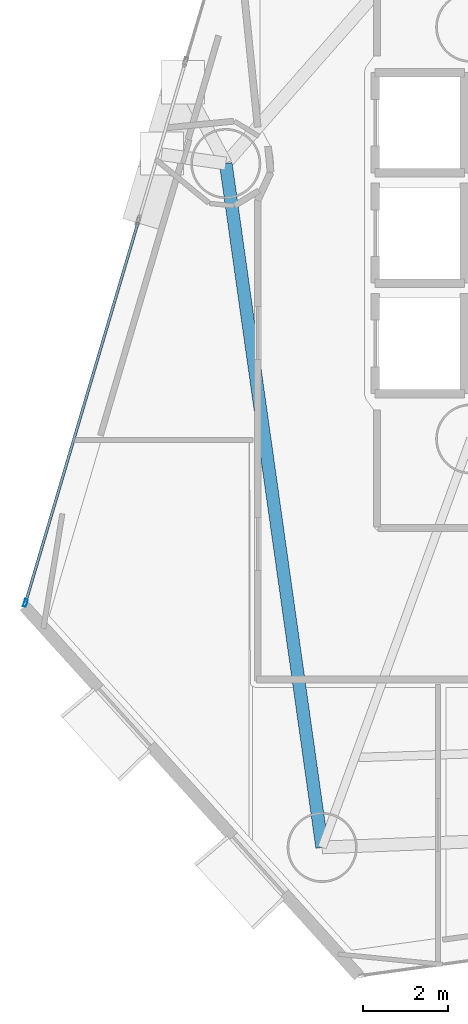
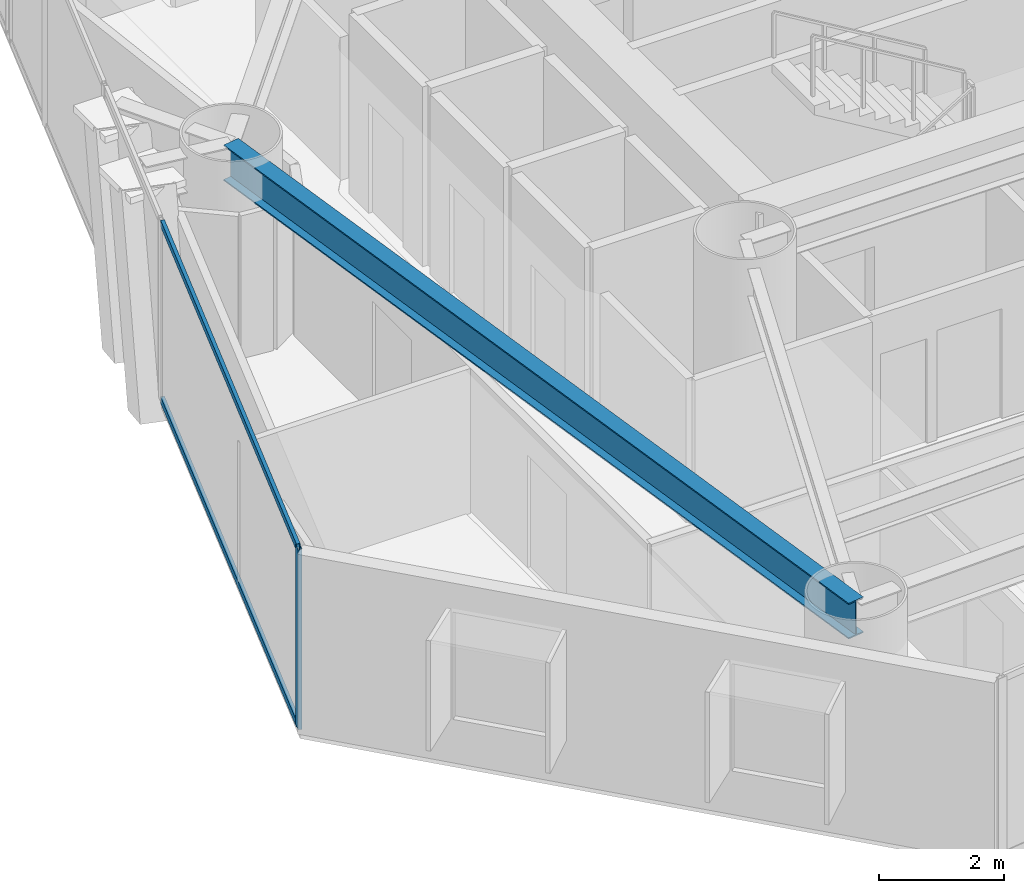
# One storey, part 4 of 23: 3 members, 1 beam, 1 element without a shape of its own.
"""IFC4 building model written with IfcOpenShell, lengths in metres."""

import ifcopenshell
import ifcopenshell.guid

model = None  # the IFC model being written
_history = None  # IfcOwnerHistory: only IFC2X3 demands one
_inside = {}  # id of a spatial element -> (the spatial element, [elements in it])
_under = {}  # id of a project, library or spatial element -> (it, [spatial elements below it])
_declared = {}  # id of a project -> (the project, [libraries it declares])
_typed = {}  # id of a type object -> (the type object, [elements of that type])
_made_of = {}  # id of a material, layer set ... -> (it, [elements and type objects made of it])


def new_model(schema):
    """Start an empty IFC model of exactly this schema.

    Asked for "IFC4X3", IfcOpenShell would pick the latest addendum, in which some entities
    have other attributes; the version numbers below select the first issue.
    IFC2X3 requires an IfcOwnerHistory on every rooted entity: one is made here for all.
    """
    global model, _history
    if schema == "IFC4X3":
        model = ifcopenshell.file(schema_version=(4, 3, 0, 0))
    else:
        model = ifcopenshell.file(schema=schema)
    _inside.clear()
    _under.clear()
    _declared.clear()
    _typed.clear()
    _made_of.clear()
    _history = None
    if model.schema == "IFC2X3":
        org = make("IfcOrganization", Name="unknown")
        user = make(
            "IfcPersonAndOrganization",
            ThePerson=make("IfcPerson", FamilyName="unknown"),
            TheOrganization=org,
        )
        app = make(
            "IfcApplication",
            ApplicationDeveloper=org,
            Version="unknown",
            ApplicationFullName="unknown",
            ApplicationIdentifier="unknown",
        )
        _history = make(
            "IfcOwnerHistory",
            OwningUser=user,
            OwningApplication=app,
            ChangeAction="ADDED",
            CreationDate=0,
        )
    return model


def make(cls, **values):
    """One entity of the class cls with the attributes given. An attribute that is None is left unset."""
    return model.create_entity(
        cls, **{name: value for name, value in values.items() if value is not None}
    )


def rooted(cls, **values):
    """An entity with a GlobalId (a new one), such as an element, a storey or a relation."""
    return make(cls, GlobalId=ifcopenshell.guid.new(), OwnerHistory=_history, **values)


def si_unit(unit_type, name, prefix=None):
    """IfcSIUnit, for example si_unit("LENGTHUNIT", "METRE", prefix="MILLI")."""
    return make("IfcSIUnit", UnitType=unit_type, Prefix=prefix, Name=name)


def assignment(units):
    """IfcUnitAssignment: the units of a project."""
    return None if units is None else make("IfcUnitAssignment", Units=units)


def point(xyz):
    """IfcCartesianPoint."""
    return None if xyz is None else make("IfcCartesianPoint", Coordinates=xyz)


def direction(xyz):
    """IfcDirection."""
    return None if xyz is None else make("IfcDirection", DirectionRatios=xyz)


def frame(location, z_axis=None, x_axis=None):
    """IfcAxis2Placement3D, a coordinate frame: its origin and axes. An axis left out is left unset."""
    return make(
        "IfcAxis2Placement3D",
        Location=point(location),
        Axis=direction(z_axis),
        RefDirection=direction(x_axis),
    )


def frame_2d(location, x_axis=None):
    """IfcAxis2Placement2D, a coordinate frame in the plane: its origin and x axis."""
    return make(
        "IfcAxis2Placement2D", Location=point(location), RefDirection=direction(x_axis)
    )


def origin():
    """The frame at (0, 0, 0) with its axes left unset."""
    return frame((0.0, 0.0, 0.0))


def origin_2d():
    """The frame at (0, 0) in the plane with its x axis left unset."""
    return frame_2d((0.0, 0.0))


def place(relative_to, where):
    """IfcLocalPlacement: puts the frame where relative to a parent placement (None: the world)."""
    return make(
        "IfcLocalPlacement", PlacementRelTo=relative_to, RelativePlacement=where
    )


def context(
    kind, dimensions, precision=None, world=None, true_north=None, identifier=None
):
    """IfcGeometricRepresentationContext, for example the 3D "Model" context."""
    return make(
        "IfcGeometricRepresentationContext",
        ContextIdentifier=identifier,
        ContextType=kind,
        CoordinateSpaceDimension=dimensions,
        Precision=precision,
        WorldCoordinateSystem=world,
        TrueNorth=true_north,
    )


def subcontext(parent, identifier, kind, view, scale=None):
    """IfcGeometricRepresentationSubContext, for example "Body" below "Model"."""
    return make(
        "IfcGeometricRepresentationSubContext",
        ContextIdentifier=identifier,
        ContextType=kind,
        ParentContext=parent,
        TargetScale=scale,
        TargetView=view,
    )


def project(units=None, contexts=None):
    """IfcProject with its units and contexts."""
    return rooted(
        "IfcProject",
        Name="project",
        RepresentationContexts=contexts,
        UnitsInContext=assignment(units),
    )


def spatial(cls, under=None, at=None, **own):
    """A site, building, storey or space (cls), placed at a placement, below another one or the project."""
    s = rooted(cls, ObjectPlacement=at, **own)
    if under is not None:
        _under.setdefault(under.id(), (under, []))[1].append(s)
    return s


def profile(cls, at=None, kind="AREA", **sizes):
    """A parametric profile (cls). Its sizes go by their IFC names, for example OverallWidth=200.0."""
    return make(cls, ProfileType=kind, Position=at, **sizes)


def hollow_rectangle(**sizes):
    """IfcRectangleHollowProfileDef."""
    return profile("IfcRectangleHollowProfileDef", **sizes)


def i_section(**sizes):
    """IfcIShapeProfileDef."""
    return profile("IfcIShapeProfileDef", **sizes)


def extrude(swept, where, along, depth):
    """IfcExtrudedAreaSolid: the profile swept, set in the frame where, extruded along a direction by depth."""
    return make(
        "IfcExtrudedAreaSolid",
        SweptArea=swept,
        Position=where,
        ExtrudedDirection=direction(along),
        Depth=depth,
    )


def shape(context_of_items, identifier, shape_type, items):
    """IfcShapeRepresentation: the items that make up one representation, for example the "Body"."""
    return make(
        "IfcShapeRepresentation",
        ContextOfItems=context_of_items,
        RepresentationIdentifier=identifier,
        RepresentationType=shape_type,
        Items=items,
    )


def material(Name=None, Category=None):
    """IfcMaterial."""
    return make("IfcMaterial", Name=Name, Category=Category)


def layer(
    of_material, thickness, ventilated=None, Name=None, Category=None, Priority=None
):
    """IfcMaterialLayer: one layer of a wall or slab, of a material (None: an air gap)."""
    return make(
        "IfcMaterialLayer",
        Material=of_material,
        LayerThickness=thickness,
        IsVentilated=ventilated,
        Name=Name,
        Category=Category,
        Priority=Priority,
    )


def layer_set(layers, Name=None):
    """IfcMaterialLayerSet."""
    return make("IfcMaterialLayerSet", MaterialLayers=layers, LayerSetName=Name)


def material_profile(
    of_material, cross_section, Name=None, Category=None, Priority=None
):
    """IfcMaterialProfile: a cross section and its material."""
    return make(
        "IfcMaterialProfile",
        Name=Name,
        Material=of_material,
        Profile=cross_section,
        Priority=Priority,
        Category=Category,
    )


def profile_set(profiles, Name=None, composite=None):
    """IfcMaterialProfileSet."""
    return make(
        "IfcMaterialProfileSet",
        Name=Name,
        MaterialProfiles=profiles,
        CompositeProfile=composite,
    )


def made_of(thing, what):
    """Note that an element or type object is made of a material, layer set ...; save() writes the relation."""
    if what is not None:
        _made_of.setdefault(what.id(), (what, []))[1].append(thing)
    return thing


def type_object(cls, material=None, **own):
    """A type object (cls), such as IfcWallType, which elements share."""
    return made_of(rooted(cls, **own), material)


def element(
    cls,
    number,
    at=None,
    inside=None,
    cuts=None,
    type_object=None,
    material=None,
    context=None,
    identifier="Body",
    shape_type=None,
    held_by="IfcProductDefinitionShape",
    body=None,
    shapes=None,
    **own,
):
    """One element of the class cls, such as IfcWall. Its Tag is "e" and its number.

    at: its placement. inside: the storey or other place that contains it. cuts: it is an
    opening in that element (IfcRelVoidsElement). A single representation is given by context,
    identifier, shape_type and body (its items); several are given by shapes. held_by: the class
    of the entity that holds the representations. save() writes the other relations.
    """
    e = rooted(cls, Tag="e%d" % number, ObjectPlacement=at, **own)
    if body is not None:
        shapes = [shape(context, identifier, shape_type, body)]
    if shapes is not None:
        e.Representation = make(held_by, Representations=shapes)
    if inside is not None:
        _inside.setdefault(inside.id(), (inside, []))[1].append(e)
    if cuts is not None:
        rooted(
            "IfcRelVoidsElement", RelatingBuildingElement=cuts, RelatedOpeningElement=e
        )
    if type_object is not None:
        _typed.setdefault(type_object.id(), (type_object, []))[1].append(e)
    return made_of(e, material)


def aggregate(whole, parts):
    """IfcRelAggregates: a whole, such as a stair, and the parts it consists of."""
    return rooted("IfcRelAggregates", RelatingObject=whole, RelatedObjects=parts)


def save(model, path):
    """Write the relations noted so far, then the file.

    IfcRelAggregates (storeys below a building ...), IfcRelContainedInSpatialStructure (elements
    in a storey), IfcRelDefinesByType, IfcRelAssociatesMaterial and IfcRelDeclares: one each for
    every whole, place, type object, material and project.
    """
    for whole, parts in _under.values():
        aggregate(whole, parts)
    for where, things in _inside.values():
        rooted(
            "IfcRelContainedInSpatialStructure",
            RelatedElements=things,
            RelatingStructure=where,
        )
    for kind, things in _typed.values():
        rooted("IfcRelDefinesByType", RelatedObjects=things, RelatingType=kind)
    for what, things in _made_of.values():
        rooted("IfcRelAssociatesMaterial", RelatedObjects=things, RelatingMaterial=what)
    for by, libraries in _declared.values():
        rooted("IfcRelDeclares", RelatingContext=by, RelatedDefinitions=libraries)
    model.write(path)


model = new_model("IFC4")

# Units and contexts
model_context = context("Model", 3, precision=1e-05, world=origin(), true_north=direction((0.0, 1.0)))
body_context = subcontext(model_context, "Body", "Model", "MODEL_VIEW")
ifc_project = project(units=[si_unit("LENGTHUNIT", "METRE"), si_unit("AREAUNIT", "SQUARE_METRE"), si_unit("VOLUMEUNIT", "CUBIC_METRE"), si_unit("PLANEANGLEUNIT", "RADIAN"), si_unit("MASSUNIT", "GRAM", prefix="KILO")], contexts=[model_context])

# Site, building, storey
site_placement = place(None, origin())
site = spatial("IfcSite", under=ifc_project, at=site_placement, CompositionType="ELEMENT")
building_placement = place(site_placement, origin())
building = spatial("IfcBuilding", under=site, at=building_placement, Name="Qianvela Tower", CompositionType="ELEMENT")
storey_placement = place(building_placement, frame((0.0, 0.0, 74.699951171875)))
storey = spatial("IfcBuildingStorey", under=building, at=storey_placement, Name="L18", CompositionType="ELEMENT", Elevation=74.699951171875)

# Beam
ifc_material_1 = material(Name="Steel Q355B", Category="steel")
ifc_material_profile_1 = material_profile(ifc_material_1, i_section(OverallWidth=0.300048828125, OverallDepth=0.699951171875, WebThickness=0.012939453125, FlangeThickness=0.02392578125, at=origin_2d()), Name="HN700x300x13x24")
ifc_profile_set_1 = profile_set([ifc_material_profile_1], Name="Steel Q355B")
beam_type = type_object("IfcBeamType", Name="BM-HN700-SPAND", PredefinedType="SPANDREL", material=ifc_profile_set_1)
beam_placement = place(storey_placement, frame((22.8291015625, 30.340087890625, 3.16796875), z_axis=(0.139545592864, -0.990215646974, 0.0), x_axis=(0.990215646974, 0.139545592864, 0.0)))
element("IfcBeam", 1, at=beam_placement, inside=storey, type_object=beam_type, Name="L18 Perimeter Ring Spandrel Girder 4", PredefinedType="SPANDREL", context=body_context, shape_type="SweptSolid", body=[
    extrude(i_section(OverallWidth=0.300048828125, OverallDepth=0.699951171875, WebThickness=0.012939453125, FlangeThickness=0.02392578125, at=origin_2d()), origin(), (0.0, 0.0, 1.0), 16.274169921875),
])

# Curtain wall, members
ifc_material_2 = material(Name="Anodised Architectural Aluminium and Low-E Glass", Category="aluminium")
ifc_layer = layer(ifc_material_2, 0.179931640625)
ifc_layer_set = layer_set([ifc_layer], Name="Anodised Architectural Aluminium and Low-E Glass")
curtain_wall_type = type_object("IfcCurtainWallType", Name="CW-COLIV-Z12", PredefinedType="USERDEFINED", material=ifc_layer_set)
curtain_wall_placement = place(storey_placement, origin())
curtain_wall = element("IfcCurtainWall", 2, at=curtain_wall_placement, inside=storey, type_object=curtain_wall_type, Name="L18 CW-COLIV-Z12 Curtain Wall 04C", ObjectType="CURTAIN_WALL_SYSTEM", PredefinedType="USERDEFINED")
ifc_material_3 = material(Name="Anodised Architectural Aluminium 6063-T6", Category="aluminium")
ifc_material_profile_2 = material_profile(ifc_material_3, hollow_rectangle(XDim=0.070068359375, YDim=0.179931640625, WallThickness=0.0048828125, at=origin_2d()), Name="ALU-MULL-70x180")
ifc_profile_set_2 = profile_set([ifc_material_profile_2], Name="Anodised Architectural Aluminium 6063-T6")
member_type_1 = type_object("IfcMemberType", Name="CW-COLIV-Z12-MULL", PredefinedType="MULLION", material=ifc_profile_set_2)
member_1_placement = place(storey_placement, frame((18.108642578125, 19.988037109375, 0.0), z_axis=(0.0, 0.0, 1.0), x_axis=(0.95892140709, -0.283671879157, 0.0)))
member_1 = element("IfcMember", 3, at=member_1_placement, type_object=member_type_1, Name="CW-3 mullion 2", PredefinedType="MULLION", context=body_context, shape_type="SweptSolid", body=[
    extrude(hollow_rectangle(XDim=0.070068359375, YDim=0.179931640625, WallThickness=0.0048828125, at=origin_2d()), origin(), (0.0, 0.0, 1.0), 3.52001953125),
])
ifc_material_4 = material(Name="Anodised Architectural Aluminium 6063-T6", Category="aluminium")
ifc_material_profile_3 = material_profile(ifc_material_4, hollow_rectangle(XDim=0.06494140625, YDim=0.1298828125, WallThickness=0.00439453125, at=origin_2d()), Name="ALU-TRAN-65x130")
ifc_profile_set_3 = profile_set([ifc_material_profile_3], Name="Anodised Architectural Aluminium 6063-T6")
member_type_2 = type_object("IfcMemberType", Name="CW-COLIV-Z12-TRAN", PredefinedType="USERDEFINED", material=ifc_profile_set_3)
member_2_placement = place(storey_placement, frame((20.760009765625, 28.950927734375, 0.032470703125), z_axis=(-0.283660701002, -0.958924713785, 0.0), x_axis=(0.958924713785, -0.283660701002, 0.0)))
member_2 = element("IfcMember", 4, at=member_2_placement, type_object=member_type_2, Name="CW-3 transom 1.1", ObjectType="TRANSOM", PredefinedType="USERDEFINED", context=body_context, shape_type="SweptSolid", body=[
    extrude(hollow_rectangle(XDim=0.06494140625, YDim=0.1298828125, WallThickness=0.00439453125, at=origin_2d()), origin(), (0.0, 0.0, 1.0), 9.311767578125),
])
member_3_placement = place(storey_placement, frame((20.760009765625, 28.950927734375, 3.487548828125), z_axis=(-0.283660701002, -0.958924713785, 0.0), x_axis=(0.958924713785, -0.283660701002, 0.0)))
member_3 = element("IfcMember", 5, at=member_3_placement, type_object=member_type_2, Name="CW-3 transom 1.2", ObjectType="TRANSOM", PredefinedType="USERDEFINED", context=body_context, shape_type="SweptSolid", body=[
    extrude(hollow_rectangle(XDim=0.06494140625, YDim=0.1298828125, WallThickness=0.00439453125, at=origin_2d()), origin(), (0.0, 0.0, 1.0), 9.311767578125),
])
aggregate(curtain_wall, [member_1, member_2, member_3])

save(model, "model.ifc")
